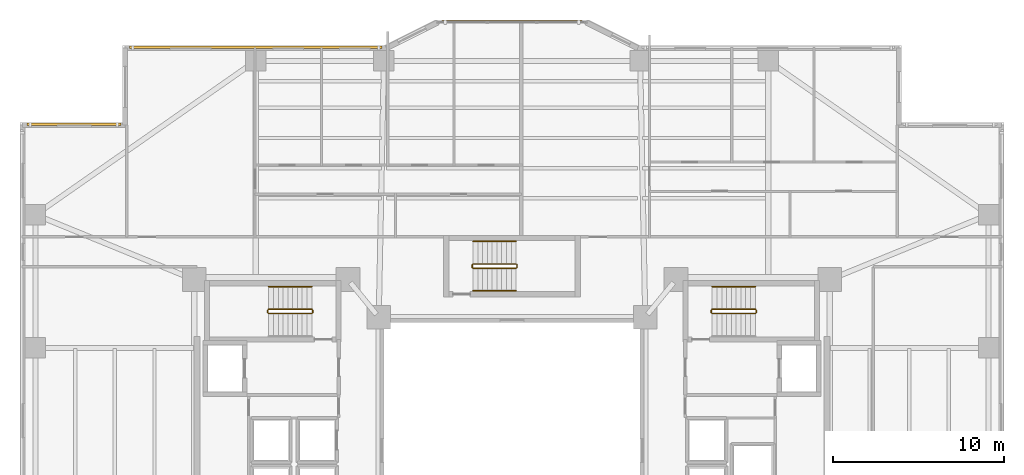
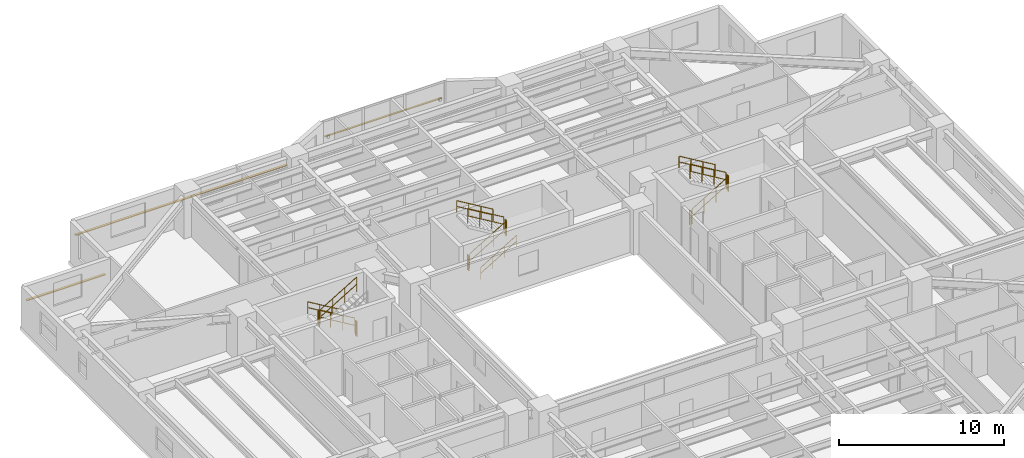
# One storey, part 19 of 20: 16 railings, 3 shading devices.
"""IFC4 building model written with IfcOpenShell, lengths in metres."""

from ifc_helpers import new_model, si_unit, direction, frame, origin, origin_2d, place, context, subcontext, project, spatial, rectangle, circle, extrude, material, material_profile, profile_set, type_object, element, save


model = new_model("IFC4")

# Units and contexts
model_context = context("Model", 3, precision=1e-05, world=origin(), true_north=direction((0.0, 1.0)))
body_context = subcontext(model_context, "Body", "Model", "MODEL_VIEW")
ifc_project = project(units=[si_unit("LENGTHUNIT", "METRE"), si_unit("AREAUNIT", "SQUARE_METRE"), si_unit("VOLUMEUNIT", "CUBIC_METRE"), si_unit("PLANEANGLEUNIT", "RADIAN"), si_unit("MASSUNIT", "GRAM", prefix="KILO")], contexts=[model_context])

# Site, building, storey
site_placement = place(None, origin())
site = spatial("IfcSite", under=ifc_project, at=site_placement, CompositionType="ELEMENT")
building_placement = place(site_placement, origin())
building = spatial("IfcBuilding", under=site, at=building_placement, Name="Tarnavaz Court Tower", CompositionType="ELEMENT")
storey_placement = place(building_placement, frame((0.0, 0.0, 60.85009765625)))
storey = spatial("IfcBuildingStorey", under=building, at=storey_placement, Name="L16", CompositionType="ELEMENT", Elevation=60.85009765625)

# Railings
ifc_material_1 = material(Name="Brushed Stainless Steel", Category="steel")
railing_type_1 = type_object("IfcRailingType", Name="RL-HANDRAIL-900", PredefinedType="HANDRAIL", material=ifc_material_1)
railing_1_placement = place(storey_placement, frame((-11.719970703125, 9.590087890625, 0.16748046875)))
element("IfcRailing", 1, at=railing_1_placement, inside=storey, type_object=railing_type_1, Name="L16 ST-W1 stair handrail 1", PredefinedType="HANDRAIL", context=body_context, shape_type="SweptSolid", body=[
    extrude(circle(Radius=0.02392578125, at=origin_2d()), frame((0.0, 0.0, 0.8759765625), z_axis=(-0.858196387827, 0.0, 0.513321497621), x_axis=(0.0, -1.0, 0.0)), (0.0, 0.0, 1.0), 2.9365234375),
    extrude(circle(Radius=0.02392578125, at=origin_2d()), frame((0.0, 0.0, 0.449951171875), z_axis=(-0.858196387827, 0.0, 0.513321497621), x_axis=(0.0, -1.0, 0.0)), (0.0, 0.0, 1.0), 2.9365234375),
    extrude(circle(Radius=0.02099609375, at=origin_2d()), origin(), (0.0, 0.0, 1.0), 0.851806640625),
    extrude(circle(Radius=0.02099609375, at=origin_2d()), frame((-0.840087890625, 0.0, 0.50244140625)), (0.0, 0.0, 1.0), 0.851806640625),
    extrude(circle(Radius=0.02099609375, at=origin_2d()), frame((-1.679931640625, 0.0, 1.0048828125)), (0.0, 0.0, 1.0), 0.851806640625),
    extrude(circle(Radius=0.02099609375, at=origin_2d()), frame((-2.52001953125, 0.0, 1.50732421875)), (0.0, 0.0, 1.0), 0.851806640625),
])
railing_2_placement = place(storey_placement, frame((14.239990234375, 9.590087890625, 1.84228515625)))
element("IfcRailing", 2, at=railing_2_placement, inside=storey, type_object=railing_type_1, Name="L16 ST-E1 stair handrail 2", PredefinedType="HANDRAIL", context=body_context, shape_type="SweptSolid", body=[
    extrude(circle(Radius=0.02392578125, at=origin_2d()), frame((0.0, 0.0, 0.8759765625), z_axis=(-0.858159760407, 0.0, 0.513382728203), x_axis=(0.0, -1.0, 0.0)), (0.0, 0.0, 1.0), 2.9365234375),
    extrude(circle(Radius=0.02392578125, at=origin_2d()), frame((0.0, 0.0, 0.449951171875), z_axis=(-0.858159760407, 0.0, 0.513382728203), x_axis=(0.0, -1.0, 0.0)), (0.0, 0.0, 1.0), 2.9365234375),
    extrude(circle(Radius=0.02099609375, at=origin_2d()), origin(), (0.0, 0.0, 1.0), 0.851806640625),
    extrude(circle(Radius=0.02099609375, at=origin_2d()), frame((-0.840087890625, 0.0, 0.50244140625)), (0.0, 0.0, 1.0), 0.851806640625),
    extrude(circle(Radius=0.02099609375, at=origin_2d()), frame((-1.679931640625, 0.0, 1.005126953125)), (0.0, 0.0, 1.0), 0.851806640625),
    extrude(circle(Radius=0.02099609375, at=origin_2d()), frame((-2.52001953125, 0.0, 1.507568359375)), (0.0, 0.0, 1.0), 0.851806640625),
])
railing_3_placement = place(storey_placement, frame((-2.280029296875, 9.35009765625, 0.16748046875)))
element("IfcRailing", 3, at=railing_3_placement, inside=storey, type_object=railing_type_1, Name="L16 ST-N1 stair handrail 1", PredefinedType="HANDRAIL", context=body_context, shape_type="SweptSolid", body=[
    extrude(circle(Radius=0.02392578125, at=origin_2d()), frame((0.0, 0.0, 0.8759765625), z_axis=(0.858196387827, 0.0, 0.513321497621), x_axis=(0.0, 1.0, 0.0)), (0.0, 0.0, 1.0), 2.9365234375),
    extrude(circle(Radius=0.02392578125, at=origin_2d()), frame((0.0, 0.0, 0.449951171875), z_axis=(0.858196387827, 0.0, 0.513321497621), x_axis=(0.0, 1.0, 0.0)), (0.0, 0.0, 1.0), 2.9365234375),
    extrude(circle(Radius=0.02099609375, at=origin_2d()), origin(), (0.0, 0.0, 1.0), 0.851806640625),
    extrude(circle(Radius=0.02099609375, at=origin_2d()), frame((0.840087890625, 0.0, 0.50244140625)), (0.0, 0.0, 1.0), 0.851806640625),
    extrude(circle(Radius=0.02099609375, at=origin_2d()), frame((1.679931640625, 0.0, 1.0048828125)), (0.0, 0.0, 1.0), 0.851806640625),
    extrude(circle(Radius=0.02099609375, at=origin_2d()), frame((2.52001953125, 0.0, 1.50732421875)), (0.0, 0.0, 1.0), 0.851806640625),
])
railing_4_placement = place(storey_placement, frame((0.239990234375, 12.239990234375, 1.84228515625)))
element("IfcRailing", 4, at=railing_4_placement, inside=storey, type_object=railing_type_1, Name="L16 ST-N1 stair handrail 2", PredefinedType="HANDRAIL", context=body_context, shape_type="SweptSolid", body=[
    extrude(circle(Radius=0.02392578125, at=origin_2d()), frame((0.0, 0.0, 0.8759765625), z_axis=(-0.858159760407, 0.0, 0.513382728203), x_axis=(0.0, -1.0, 0.0)), (0.0, 0.0, 1.0), 2.9365234375),
    extrude(circle(Radius=0.02392578125, at=origin_2d()), frame((0.0, 0.0, 0.449951171875), z_axis=(-0.858159760407, 0.0, 0.513382728203), x_axis=(0.0, -1.0, 0.0)), (0.0, 0.0, 1.0), 2.9365234375),
    extrude(circle(Radius=0.02099609375, at=origin_2d()), origin(), (0.0, 0.0, 1.0), 0.851806640625),
    extrude(circle(Radius=0.02099609375, at=origin_2d()), frame((-0.840087890625, 0.0, 0.50244140625)), (0.0, 0.0, 1.0), 0.851806640625),
    extrude(circle(Radius=0.02099609375, at=origin_2d()), frame((-1.679931640625, 0.0, 1.005126953125)), (0.0, 0.0, 1.0), 0.851806640625),
    extrude(circle(Radius=0.02099609375, at=origin_2d()), frame((-2.52001953125, 0.0, 1.507568359375)), (0.0, 0.0, 1.0), 0.851806640625),
])
ifc_material_2 = material(Name="Galvanized Painted Tubular Steel", Category="steel")
railing_type_2 = type_object("IfcRailingType", Name="RL-STGUARD-1120", PredefinedType="GUARDRAIL", material=ifc_material_2)
railing_5_placement = place(storey_placement, frame((-11.719970703125, 8.27001953125, 0.16748046875)))
element("IfcRailing", 5, at=railing_5_placement, inside=storey, type_object=railing_type_2, Name="L16 ST-W1 stair guard 1", PredefinedType="GUARDRAIL", context=body_context, shape_type="SweptSolid", body=[
    extrude(circle(Radius=0.02392578125, at=origin_2d()), frame((0.0, 0.0, 1.09619140625), z_axis=(-0.858196387827, 0.0, 0.513321497621), x_axis=(0.0, -1.0, 0.0)), (0.0, 0.0, 1.0), 2.9365234375),
    extrude(circle(Radius=0.02392578125, at=origin_2d()), frame((0.0, 0.0, 0.56005859375), z_axis=(-0.858196387827, 0.0, 0.513321497621), x_axis=(0.0, -1.0, 0.0)), (0.0, 0.0, 1.0), 2.9365234375),
    extrude(circle(Radius=0.02099609375, at=origin_2d()), origin(), (0.0, 0.0, 1.0), 1.072021484375),
    extrude(circle(Radius=0.02099609375, at=origin_2d()), frame((-0.840087890625, 0.0, 0.50244140625)), (0.0, 0.0, 1.0), 1.072021484375),
    extrude(circle(Radius=0.02099609375, at=origin_2d()), frame((-1.679931640625, 0.0, 1.0048828125)), (0.0, 0.0, 1.0), 1.072021484375),
    extrude(circle(Radius=0.02099609375, at=origin_2d()), frame((-2.52001953125, 0.0, 1.50732421875)), (0.0, 0.0, 1.0), 1.072021484375),
])
railing_6_placement = place(storey_placement, frame((-14.2900390625, 8.219970703125, 1.6748046875)))
element("IfcRailing", 6, at=railing_6_placement, inside=storey, type_object=railing_type_2, Name="L16 ST-W1 stair guard 2", PredefinedType="GUARDRAIL", context=body_context, shape_type="SweptSolid", body=[
    extrude(circle(Radius=0.02392578125, at=origin_2d()), frame((0.0, 0.0, 1.09619140625), z_axis=(0.0, -1.0, 0.0), x_axis=(1.0, 0.0, 0.0)), (0.0, 0.0, 1.0), 0.14990234375),
    extrude(circle(Radius=0.02392578125, at=origin_2d()), frame((0.0, 0.0, 0.56005859375), z_axis=(0.0, -1.0, 0.0), x_axis=(1.0, 0.0, 0.0)), (0.0, 0.0, 1.0), 0.14990234375),
    extrude(circle(Radius=0.02099609375, at=origin_2d()), origin(), (0.0, 0.0, 1.0), 1.072021484375),
    extrude(circle(Radius=0.02099609375, at=origin_2d()), frame((0.0, -0.14990234375, 0.0)), (0.0, 0.0, 1.0), 1.072021484375),
])
railing_7_placement = place(storey_placement, frame((-14.239990234375, 8.02001953125, 1.84228515625)))
element("IfcRailing", 7, at=railing_7_placement, inside=storey, type_object=railing_type_2, Name="L16 ST-W1 stair guard 3", PredefinedType="GUARDRAIL", context=body_context, shape_type="SweptSolid", body=[
    extrude(circle(Radius=0.02392578125, at=origin_2d()), frame((0.0, 0.0, 1.09619140625), z_axis=(0.858159760407, 0.0, 0.513382728203), x_axis=(0.0, 1.0, 0.0)), (0.0, 0.0, 1.0), 2.9365234375),
    extrude(circle(Radius=0.02392578125, at=origin_2d()), frame((0.0, 0.0, 0.56005859375), z_axis=(0.858159760407, 0.0, 0.513382728203), x_axis=(0.0, 1.0, 0.0)), (0.0, 0.0, 1.0), 2.9365234375),
    extrude(circle(Radius=0.02099609375, at=origin_2d()), origin(), (0.0, 0.0, 1.0), 1.072021484375),
    extrude(circle(Radius=0.02099609375, at=origin_2d()), frame((0.840087890625, 0.0, 0.50244140625)), (0.0, 0.0, 1.0), 1.072021484375),
    extrude(circle(Radius=0.02099609375, at=origin_2d()), frame((1.679931640625, 0.0, 1.005126953125)), (0.0, 0.0, 1.0), 1.072021484375),
    extrude(circle(Radius=0.02099609375, at=origin_2d()), frame((2.52001953125, 0.0, 1.507568359375)), (0.0, 0.0, 1.0), 1.072021484375),
])
railing_8_placement = place(storey_placement, frame((-11.669921875, 8.219970703125, 0.0)))
element("IfcRailing", 8, at=railing_8_placement, inside=storey, type_object=railing_type_2, Name="L16 ST-W1 stair guard 4", PredefinedType="GUARDRAIL", context=body_context, shape_type="SweptSolid", body=[
    extrude(circle(Radius=0.02392578125, at=origin_2d()), frame((0.0, 0.0, 1.09619140625), z_axis=(0.0, -1.0, 0.0), x_axis=(1.0, 0.0, 0.0)), (0.0, 0.0, 1.0), 0.14990234375),
    extrude(circle(Radius=0.02392578125, at=origin_2d()), frame((0.0, 0.0, 0.56005859375), z_axis=(0.0, -1.0, 0.0), x_axis=(1.0, 0.0, 0.0)), (0.0, 0.0, 1.0), 0.14990234375),
    extrude(circle(Radius=0.02099609375, at=origin_2d()), origin(), (0.0, 0.0, 1.0), 1.072021484375),
    extrude(circle(Radius=0.02099609375, at=origin_2d()), frame((0.0, -0.14990234375, 0.0)), (0.0, 0.0, 1.0), 1.072021484375),
])
railing_9_placement = place(storey_placement, frame((11.719970703125, 8.02001953125, 0.16748046875)))
element("IfcRailing", 9, at=railing_9_placement, inside=storey, type_object=railing_type_2, Name="L16 ST-E1 stair guard 1", PredefinedType="GUARDRAIL", context=body_context, shape_type="SweptSolid", body=[
    extrude(circle(Radius=0.02392578125, at=origin_2d()), frame((0.0, 0.0, 1.09619140625), z_axis=(0.858196387827, 0.0, 0.513321497621), x_axis=(0.0, 1.0, 0.0)), (0.0, 0.0, 1.0), 2.9365234375),
    extrude(circle(Radius=0.02392578125, at=origin_2d()), frame((0.0, 0.0, 0.56005859375), z_axis=(0.858196387827, 0.0, 0.513321497621), x_axis=(0.0, 1.0, 0.0)), (0.0, 0.0, 1.0), 2.9365234375),
    extrude(circle(Radius=0.02099609375, at=origin_2d()), origin(), (0.0, 0.0, 1.0), 1.072021484375),
    extrude(circle(Radius=0.02099609375, at=origin_2d()), frame((0.840087890625, 0.0, 0.50244140625)), (0.0, 0.0, 1.0), 1.072021484375),
    extrude(circle(Radius=0.02099609375, at=origin_2d()), frame((1.679931640625, 0.0, 1.0048828125)), (0.0, 0.0, 1.0), 1.072021484375),
    extrude(circle(Radius=0.02099609375, at=origin_2d()), frame((2.52001953125, 0.0, 1.50732421875)), (0.0, 0.0, 1.0), 1.072021484375),
])
railing_10_placement = place(storey_placement, frame((14.2900390625, 8.070068359375, 1.6748046875)))
element("IfcRailing", 10, at=railing_10_placement, inside=storey, type_object=railing_type_2, Name="L16 ST-E1 stair guard 2", PredefinedType="GUARDRAIL", context=body_context, shape_type="SweptSolid", body=[
    extrude(circle(Radius=0.02392578125, at=origin_2d()), frame((0.0, 0.0, 1.09619140625), z_axis=(0.0, 1.0, 0.0), x_axis=(-1.0, 0.0, 0.0)), (0.0, 0.0, 1.0), 0.14990234375),
    extrude(circle(Radius=0.02392578125, at=origin_2d()), frame((0.0, 0.0, 0.56005859375), z_axis=(0.0, 1.0, 0.0), x_axis=(-1.0, 0.0, 0.0)), (0.0, 0.0, 1.0), 0.14990234375),
    extrude(circle(Radius=0.02099609375, at=origin_2d()), origin(), (0.0, 0.0, 1.0), 1.072021484375),
    extrude(circle(Radius=0.02099609375, at=origin_2d()), frame((0.0, 0.14990234375, 0.0)), (0.0, 0.0, 1.0), 1.072021484375),
])
railing_11_placement = place(storey_placement, frame((14.239990234375, 8.27001953125, 1.84228515625)))
element("IfcRailing", 11, at=railing_11_placement, inside=storey, type_object=railing_type_2, Name="L16 ST-E1 stair guard 3", PredefinedType="GUARDRAIL", context=body_context, shape_type="SweptSolid", body=[
    extrude(circle(Radius=0.02392578125, at=origin_2d()), frame((0.0, 0.0, 1.09619140625), z_axis=(-0.858159760407, 0.0, 0.513382728203), x_axis=(0.0, -1.0, 0.0)), (0.0, 0.0, 1.0), 2.9365234375),
    extrude(circle(Radius=0.02392578125, at=origin_2d()), frame((0.0, 0.0, 0.56005859375), z_axis=(-0.858159760407, 0.0, 0.513382728203), x_axis=(0.0, -1.0, 0.0)), (0.0, 0.0, 1.0), 2.9365234375),
    extrude(circle(Radius=0.02099609375, at=origin_2d()), origin(), (0.0, 0.0, 1.0), 1.072021484375),
    extrude(circle(Radius=0.02099609375, at=origin_2d()), frame((-0.840087890625, 0.0, 0.50244140625)), (0.0, 0.0, 1.0), 1.072021484375),
    extrude(circle(Radius=0.02099609375, at=origin_2d()), frame((-1.679931640625, 0.0, 1.005126953125)), (0.0, 0.0, 1.0), 1.072021484375),
    extrude(circle(Radius=0.02099609375, at=origin_2d()), frame((-2.52001953125, 0.0, 1.507568359375)), (0.0, 0.0, 1.0), 1.072021484375),
])
railing_12_placement = place(storey_placement, frame((11.669921875, 8.070068359375, 0.0)))
element("IfcRailing", 12, at=railing_12_placement, inside=storey, type_object=railing_type_2, Name="L16 ST-E1 stair guard 4", PredefinedType="GUARDRAIL", context=body_context, shape_type="SweptSolid", body=[
    extrude(circle(Radius=0.02392578125, at=origin_2d()), frame((0.0, 0.0, 1.09619140625), z_axis=(0.0, 1.0, 0.0), x_axis=(-1.0, 0.0, 0.0)), (0.0, 0.0, 1.0), 0.14990234375),
    extrude(circle(Radius=0.02392578125, at=origin_2d()), frame((0.0, 0.0, 0.56005859375), z_axis=(0.0, 1.0, 0.0), x_axis=(-1.0, 0.0, 0.0)), (0.0, 0.0, 1.0), 0.14990234375),
    extrude(circle(Radius=0.02099609375, at=origin_2d()), origin(), (0.0, 0.0, 1.0), 1.072021484375),
    extrude(circle(Radius=0.02099609375, at=origin_2d()), frame((0.0, 0.14990234375, 0.0)), (0.0, 0.0, 1.0), 1.072021484375),
])
railing_13_placement = place(storey_placement, frame((-2.280029296875, 10.669921875, 0.16748046875)))
element("IfcRailing", 13, at=railing_13_placement, inside=storey, type_object=railing_type_2, Name="L16 ST-N1 stair guard 1", PredefinedType="GUARDRAIL", context=body_context, shape_type="SweptSolid", body=[
    extrude(circle(Radius=0.02392578125, at=origin_2d()), frame((0.0, 0.0, 1.09619140625), z_axis=(0.858196387827, 0.0, 0.513321497621), x_axis=(0.0, 1.0, 0.0)), (0.0, 0.0, 1.0), 2.9365234375),
    extrude(circle(Radius=0.02392578125, at=origin_2d()), frame((0.0, 0.0, 0.56005859375), z_axis=(0.858196387827, 0.0, 0.513321497621), x_axis=(0.0, 1.0, 0.0)), (0.0, 0.0, 1.0), 2.9365234375),
    extrude(circle(Radius=0.02099609375, at=origin_2d()), origin(), (0.0, 0.0, 1.0), 1.072021484375),
    extrude(circle(Radius=0.02099609375, at=origin_2d()), frame((0.840087890625, 0.0, 0.50244140625)), (0.0, 0.0, 1.0), 1.072021484375),
    extrude(circle(Radius=0.02099609375, at=origin_2d()), frame((1.679931640625, 0.0, 1.0048828125)), (0.0, 0.0, 1.0), 1.072021484375),
    extrude(circle(Radius=0.02099609375, at=origin_2d()), frame((2.52001953125, 0.0, 1.50732421875)), (0.0, 0.0, 1.0), 1.072021484375),
])
railing_14_placement = place(storey_placement, frame((0.2900390625, 10.719970703125, 1.6748046875)))
element("IfcRailing", 14, at=railing_14_placement, inside=storey, type_object=railing_type_2, Name="L16 ST-N1 stair guard 2", PredefinedType="GUARDRAIL", context=body_context, shape_type="SweptSolid", body=[
    extrude(circle(Radius=0.02392578125, at=origin_2d()), frame((0.0, 0.0, 1.09619140625), z_axis=(0.0, 1.0, 0.0), x_axis=(-1.0, 0.0, 0.0)), (0.0, 0.0, 1.0), 0.150146484375),
    extrude(circle(Radius=0.02392578125, at=origin_2d()), frame((0.0, 0.0, 0.56005859375), z_axis=(0.0, 1.0, 0.0), x_axis=(-1.0, 0.0, 0.0)), (0.0, 0.0, 1.0), 0.150146484375),
    extrude(circle(Radius=0.02099609375, at=origin_2d()), origin(), (0.0, 0.0, 1.0), 1.072021484375),
    extrude(circle(Radius=0.02099609375, at=origin_2d()), frame((0.0, 0.150146484375, 0.0)), (0.0, 0.0, 1.0), 1.072021484375),
])
railing_15_placement = place(storey_placement, frame((0.239990234375, 10.919921875, 1.84228515625)))
element("IfcRailing", 15, at=railing_15_placement, inside=storey, type_object=railing_type_2, Name="L16 ST-N1 stair guard 3", PredefinedType="GUARDRAIL", context=body_context, shape_type="SweptSolid", body=[
    extrude(circle(Radius=0.02392578125, at=origin_2d()), frame((0.0, 0.0, 1.09619140625), z_axis=(-0.858159760407, 0.0, 0.513382728203), x_axis=(0.0, -1.0, 0.0)), (0.0, 0.0, 1.0), 2.9365234375),
    extrude(circle(Radius=0.02392578125, at=origin_2d()), frame((0.0, 0.0, 0.56005859375), z_axis=(-0.858159760407, 0.0, 0.513382728203), x_axis=(0.0, -1.0, 0.0)), (0.0, 0.0, 1.0), 2.9365234375),
    extrude(circle(Radius=0.02099609375, at=origin_2d()), origin(), (0.0, 0.0, 1.0), 1.072021484375),
    extrude(circle(Radius=0.02099609375, at=origin_2d()), frame((-0.840087890625, 0.0, 0.50244140625)), (0.0, 0.0, 1.0), 1.072021484375),
    extrude(circle(Radius=0.02099609375, at=origin_2d()), frame((-1.679931640625, 0.0, 1.005126953125)), (0.0, 0.0, 1.0), 1.072021484375),
    extrude(circle(Radius=0.02099609375, at=origin_2d()), frame((-2.52001953125, 0.0, 1.507568359375)), (0.0, 0.0, 1.0), 1.072021484375),
])
railing_16_placement = place(storey_placement, frame((-2.330078125, 10.719970703125, 0.0)))
element("IfcRailing", 16, at=railing_16_placement, inside=storey, type_object=railing_type_2, Name="L16 ST-N1 stair guard 4", PredefinedType="GUARDRAIL", context=body_context, shape_type="SweptSolid", body=[
    extrude(circle(Radius=0.02392578125, at=origin_2d()), frame((0.0, 0.0, 1.09619140625), z_axis=(0.0, 1.0, 0.0), x_axis=(-1.0, 0.0, 0.0)), (0.0, 0.0, 1.0), 0.150146484375),
    extrude(circle(Radius=0.02392578125, at=origin_2d()), frame((0.0, 0.0, 0.56005859375), z_axis=(0.0, 1.0, 0.0), x_axis=(-1.0, 0.0, 0.0)), (0.0, 0.0, 1.0), 0.150146484375),
    extrude(circle(Radius=0.02099609375, at=origin_2d()), origin(), (0.0, 0.0, 1.0), 1.072021484375),
    extrude(circle(Radius=0.02099609375, at=origin_2d()), frame((0.0, 0.150146484375, 0.0)), (0.0, 0.0, 1.0), 1.072021484375),
])

# Shading devices
ifc_material_3 = material(Name="Kiln-Fired Khorasan Terracotta Ceramic", Category="masonry")
ifc_material_profile_1 = material_profile(ifc_material_3, rectangle(XDim=0.1201171875, YDim=0.06005859375, at=origin_2d()), Name="TC BAGUETTE 120X60")
ifc_profile_set_1 = profile_set([ifc_material_profile_1], Name="Kiln-Fired Khorasan Terracotta Ceramic")
shading_device_type_1 = type_object("IfcShadingDeviceType", Name="SD-BAG-120", PredefinedType="USERDEFINED", material=ifc_profile_set_1)
shading_device_1_placement = place(storey_placement, frame((-4.10009765625, 25.110107421875, 1.7998046875), z_axis=(1.0, 0.0, 0.0), x_axis=(0.0, 1.0, 0.0)))
element("IfcShadingDevice", 17, at=shading_device_1_placement, inside=storey, type_object=shading_device_type_1, Name="L16 Terracotta Baguette Screen PBG7", ObjectType="BAGUETTE", PredefinedType="USERDEFINED", context=body_context, shape_type="SweptSolid", body=[
    extrude(rectangle(XDim=0.1201171875, YDim=0.06005859375, at=origin_2d()), origin(), (0.0, 0.0, 1.0), 8.2001953125),
])
ifc_material_profile_2 = material_profile(ifc_material_3, rectangle(XDim=0.14990234375, YDim=0.06494140625, at=origin_2d()), Name="TC BAGUETTE 150X65")
ifc_profile_set_2 = profile_set([ifc_material_profile_2], Name="Kiln-Fired Khorasan Terracotta Ceramic")
shading_device_type_2 = type_object("IfcShadingDeviceType", Name="SD-BAG-150", PredefinedType="USERDEFINED", material=ifc_profile_set_2)
shading_device_2_placement = place(storey_placement, frame((-28.39990234375, 19.110107421875, 1.849853515625), z_axis=(1.0, 0.0, 0.0), x_axis=(0.0, 1.0, 0.0)))
element("IfcShadingDevice", 18, at=shading_device_2_placement, inside=storey, type_object=shading_device_type_2, Name="L16 Terracotta Baguette Screen FBG03", ObjectType="BAGUETTE", PredefinedType="USERDEFINED", context=body_context, shape_type="SweptSolid", body=[
    extrude(rectangle(XDim=0.14990234375, YDim=0.06494140625, at=origin_2d()), origin(), (0.0, 0.0, 1.0), 5.5),
])
shading_device_3_placement = place(storey_placement, frame((-22.39990234375, 23.610107421875, 1.849853515625), z_axis=(1.0, 0.0, 0.0), x_axis=(0.0, 1.0, 0.0)))
element("IfcShadingDevice", 19, at=shading_device_3_placement, inside=storey, type_object=shading_device_type_2, Name="L16 Terracotta Baguette Screen FBG05", ObjectType="BAGUETTE", PredefinedType="USERDEFINED", context=body_context, shape_type="SweptSolid", body=[
    extrude(rectangle(XDim=0.14990234375, YDim=0.06494140625, at=origin_2d()), origin(), (0.0, 0.0, 1.0), 14.7998046875),
])

save(model, "model.ifc")
